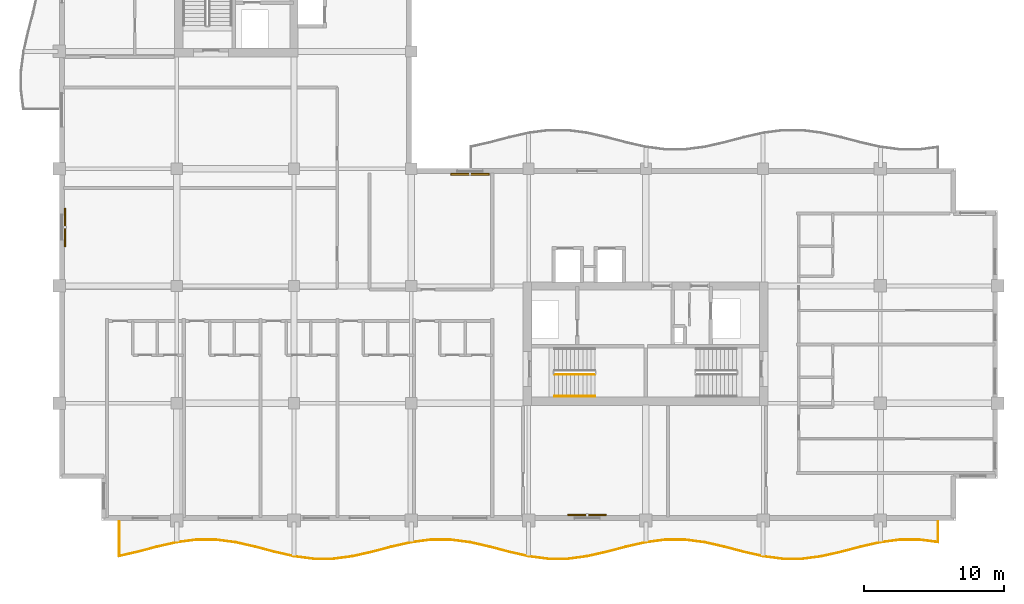
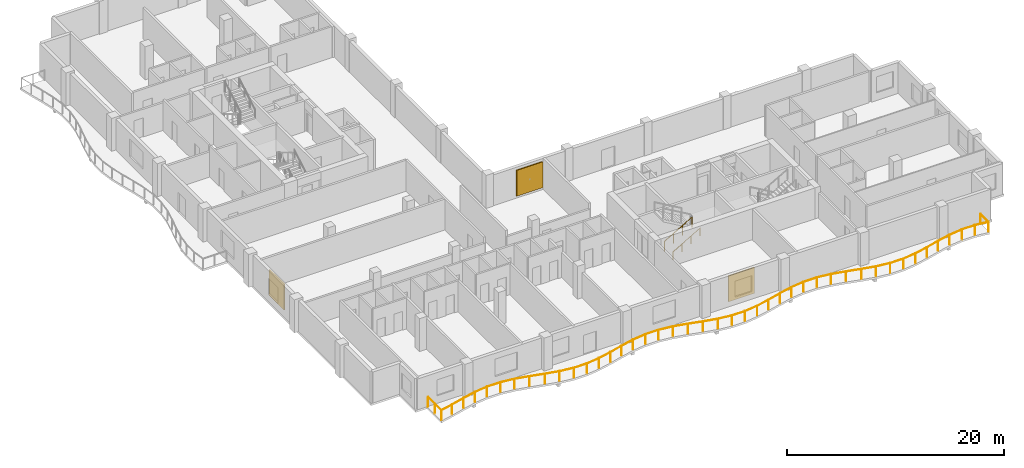
# One storey, part 10 of 12: 3 railings, 3 shading devices.
"""IFC4 building model written with IfcOpenShell, lengths in metres."""

from ifc_helpers import new_model, si_unit, direction, frame, origin, origin_2d, place, context, subcontext, project, spatial, rectangle, circle, extrude, material, layer, layer_set, type_object, element, save


model = new_model("IFC4")

# Units and contexts
model_context = context("Model", 3, precision=1e-05, world=origin(), true_north=direction((0.0, 1.0)))
body_context = subcontext(model_context, "Body", "Model", "MODEL_VIEW")
ifc_project = project(units=[si_unit("LENGTHUNIT", "METRE"), si_unit("AREAUNIT", "SQUARE_METRE"), si_unit("VOLUMEUNIT", "CUBIC_METRE"), si_unit("PLANEANGLEUNIT", "RADIAN"), si_unit("MASSUNIT", "GRAM", prefix="KILO")], contexts=[model_context])

# Site, building, storey
site_placement = place(None, origin())
site = spatial("IfcSite", under=ifc_project, at=site_placement, CompositionType="ELEMENT")
building_placement = place(site_placement, origin())
building = spatial("IfcBuilding", under=site, at=building_placement, Name="Koriwani Terraces Tower", CompositionType="ELEMENT")
storey_placement = place(building_placement, frame((0.0, 0.0, 278.60009765625)))
storey = spatial("IfcBuildingStorey", under=building, at=storey_placement, Name="L69", CompositionType="ELEMENT", Elevation=278.60009765625)

# Railings
ifc_material_1 = material(Name="Steel ASTM A572 Grade 50", Category="steel")
railing_type_1 = type_object("IfcRailingType", Name="GUARD_BALUSTRADE_1150", PredefinedType="BALUSTRADE", material=ifc_material_1)
railing_1_placement = place(storey_placement, frame((12.679931640625, 8.320068359375, 0.0)))
element("IfcRailing", 1, at=railing_1_placement, inside=storey, type_object=railing_type_1, Name="L69 Balcony Perimeter Safety Balustrade (S)", PredefinedType="BALUSTRADE", context=body_context, shape_type="SweptSolid", body=[
    extrude(circle(Radius=0.02392578125, at=origin_2d()), frame((0.0, 0.0, 1.1259765625), z_axis=(0.0, -1.0, 0.0), x_axis=(1.0, 0.0, 0.0)), (0.0, 0.0, 1.0), 2.4619140625),
    extrude(circle(Radius=0.02392578125, at=origin_2d()), frame((0.0, -2.4619140625, 1.1259765625), z_axis=(0.97513824805, 0.221597376316, 0.0), x_axis=(-0.221597376316, 0.97513824805, 0.0)), (0.0, 0.0, 1.0), 1.334228515625),
    extrude(circle(Radius=0.02392578125, at=origin_2d()), frame((1.301025390625, -2.166259765625, 1.1259765625), z_axis=(0.967207664387, 0.253986877518, 0.0), x_axis=(-0.253986877518, 0.967207664387, 0.0)), (0.0, 0.0, 1.0), 1.447509765625),
    extrude(circle(Radius=0.02392578125, at=origin_2d()), frame((2.701171875, -1.798583984375, 1.1259765625), z_axis=(0.975122866469, 0.221665052023, 0.0), x_axis=(-0.221665052023, 0.975122866469, 0.0)), (0.0, 0.0, 1.0), 1.440673828125),
    extrude(circle(Radius=0.02392578125, at=origin_2d()), frame((4.10595703125, -1.479248046875, 1.1259765625), z_axis=(0.991528403605, 0.12989004906, 0.0), x_axis=(-0.12989004906, 0.991528403605, 0.0)), (0.0, 0.0, 1.0), 1.4208984375),
    extrude(circle(Radius=0.02392578125, at=origin_2d()), frame((5.514892578125, -1.294677734375, 1.1259765625), z_axis=(1.0, 0.0, 0.0), x_axis=(0.0, 1.0, 0.0)), (0.0, 0.0, 1.0), 1.410400390625),
    extrude(circle(Radius=0.02392578125, at=origin_2d()), frame((6.92529296875, -1.294677734375, 1.1259765625), z_axis=(0.991528403605, -0.12989004906, 0.0), x_axis=(0.12989004906, 0.991528403605, 0.0)), (0.0, 0.0, 1.0), 1.4208984375),
    extrude(circle(Radius=0.02392578125, at=origin_2d()), frame((8.334228515625, -1.479248046875, 1.1259765625), z_axis=(0.975122866469, -0.221665052023, 0.0), x_axis=(0.221665052023, 0.975122866469, 0.0)), (0.0, 0.0, 1.0), 1.440673828125),
    extrude(circle(Radius=0.02392578125, at=origin_2d()), frame((9.739013671875, -1.798583984375, 1.1259765625), z_axis=(0.967207664387, -0.253986877518, 0.0), x_axis=(0.253986877518, 0.967207664387, 0.0)), (0.0, 0.0, 1.0), 1.447509765625),
    extrude(circle(Radius=0.02392578125, at=origin_2d()), frame((11.13916015625, -2.166259765625, 1.1259765625), z_axis=(0.975156320387, -0.221517834068, 0.0), x_axis=(0.221517834068, 0.975156320387, 0.0)), (0.0, 0.0, 1.0), 1.4306640625),
    extrude(circle(Radius=0.02392578125, at=origin_2d()), frame((12.5341796875, -2.483154296875, 1.1259765625), z_axis=(0.991493340479, -0.130157426935, 0.0), x_axis=(0.130157426935, 0.991493340479, 0.0)), (0.0, 0.0, 1.0), 1.403076171875),
    extrude(circle(Radius=0.02392578125, at=origin_2d()), frame((13.92529296875, -2.665771484375, 1.1259765625), z_axis=(1.0, 0.0, 0.0), x_axis=(0.0, 1.0, 0.0)), (0.0, 0.0, 1.0), 1.3896484375),
    extrude(circle(Radius=0.02392578125, at=origin_2d()), frame((15.31494140625, -2.665771484375, 1.1259765625), z_axis=(0.991493340479, 0.130157426935, 0.0), x_axis=(-0.130157426935, 0.991493340479, 0.0)), (0.0, 0.0, 1.0), 1.403076171875),
    extrude(circle(Radius=0.02392578125, at=origin_2d()), frame((16.7060546875, -2.483154296875, 1.1259765625), z_axis=(0.975156320387, 0.221517834068, 0.0), x_axis=(-0.221517834068, 0.975156320387, 0.0)), (0.0, 0.0, 1.0), 1.4306640625),
    extrude(circle(Radius=0.02392578125, at=origin_2d()), frame((18.10107421875, -2.166259765625, 1.1259765625), z_axis=(0.967196782226, 0.254028314271, 0.0), x_axis=(-0.254028314271, 0.967196782226, 0.0)), (0.0, 0.0, 1.0), 1.447265625),
    extrude(circle(Radius=0.02392578125, at=origin_2d()), frame((19.5009765625, -1.798583984375, 1.1259765625), z_axis=(0.975131191317, 0.221628427149, 0.0), x_axis=(-0.221628427149, 0.975131191317, 0.0)), (0.0, 0.0, 1.0), 1.44091796875),
    extrude(circle(Radius=0.02392578125, at=origin_2d()), frame((20.906005859375, -1.479248046875, 1.1259765625), z_axis=(0.991528403605, 0.12989004906, 0.0), x_axis=(-0.12989004906, 0.991528403605, 0.0)), (0.0, 0.0, 1.0), 1.4208984375),
    extrude(circle(Radius=0.02392578125, at=origin_2d()), frame((22.31494140625, -1.294677734375, 1.1259765625), z_axis=(1.0, 0.0, 0.0), x_axis=(0.0, 1.0, 0.0)), (0.0, 0.0, 1.0), 1.410400390625),
    extrude(circle(Radius=0.02392578125, at=origin_2d()), frame((23.725341796875, -1.294677734375, 1.1259765625), z_axis=(0.991528403605, -0.12989004906, 0.0), x_axis=(0.12989004906, 0.991528403605, 0.0)), (0.0, 0.0, 1.0), 1.4208984375),
    extrude(circle(Radius=0.02392578125, at=origin_2d()), frame((25.13427734375, -1.479248046875, 1.1259765625), z_axis=(0.975122866469, -0.221665052023, 0.0), x_axis=(0.221665052023, 0.975122866469, 0.0)), (0.0, 0.0, 1.0), 1.440673828125),
    extrude(circle(Radius=0.02392578125, at=origin_2d()), frame((26.5390625, -1.798583984375, 1.1259765625), z_axis=(0.967196782226, -0.254028314271, 0.0), x_axis=(0.254028314271, 0.967196782226, 0.0)), (0.0, 0.0, 1.0), 1.447265625),
    extrude(circle(Radius=0.02392578125, at=origin_2d()), frame((27.93896484375, -2.166259765625, 1.1259765625), z_axis=(0.975164692652, -0.221480974814, 0.0), x_axis=(0.221480974814, 0.975164692652, 0.0)), (0.0, 0.0, 1.0), 1.430908203125),
    extrude(circle(Radius=0.02392578125, at=origin_2d()), frame((29.334228515625, -2.483154296875, 1.1259765625), z_axis=(0.991493340479, -0.130157426935, 0.0), x_axis=(0.130157426935, 0.991493340479, 0.0)), (0.0, 0.0, 1.0), 1.403076171875),
    extrude(circle(Radius=0.02392578125, at=origin_2d()), frame((30.725341796875, -2.665771484375, 1.1259765625), z_axis=(1.0, 0.0, 0.0), x_axis=(0.0, 1.0, 0.0)), (0.0, 0.0, 1.0), 1.3896484375),
    extrude(circle(Radius=0.02392578125, at=origin_2d()), frame((32.114990234375, -2.665771484375, 1.1259765625), z_axis=(0.991490391866, 0.130179886452, 0.0), x_axis=(-0.130179886452, 0.991490391866, 0.0)), (0.0, 0.0, 1.0), 1.40283203125),
    extrude(circle(Radius=0.02392578125, at=origin_2d()), frame((33.505859375, -2.483154296875, 1.1259765625), z_axis=(0.975164692652, 0.221480974814, 0.0), x_axis=(-0.221480974814, 0.975164692652, 0.0)), (0.0, 0.0, 1.0), 1.430908203125),
    extrude(circle(Radius=0.02392578125, at=origin_2d()), frame((34.901123046875, -2.166259765625, 1.1259765625), z_axis=(0.967196782226, 0.254028314271, 0.0), x_axis=(-0.254028314271, 0.967196782226, 0.0)), (0.0, 0.0, 1.0), 1.447265625),
    extrude(circle(Radius=0.02392578125, at=origin_2d()), frame((36.301025390625, -1.798583984375, 1.1259765625), z_axis=(0.975131191317, 0.221628427149, 0.0), x_axis=(-0.221628427149, 0.975131191317, 0.0)), (0.0, 0.0, 1.0), 1.44091796875),
    extrude(circle(Radius=0.02392578125, at=origin_2d()), frame((37.7060546875, -1.479248046875, 1.1259765625), z_axis=(0.991528403605, 0.12989004906, 0.0), x_axis=(-0.12989004906, 0.991528403605, 0.0)), (0.0, 0.0, 1.0), 1.4208984375),
    extrude(circle(Radius=0.02392578125, at=origin_2d()), frame((39.114990234375, -1.294677734375, 1.1259765625), z_axis=(1.0, 0.0, 0.0), x_axis=(0.0, 1.0, 0.0)), (0.0, 0.0, 1.0), 1.41015625),
    extrude(circle(Radius=0.02392578125, at=origin_2d()), frame((40.525146484375, -1.294677734375, 1.1259765625), z_axis=(0.991528403605, -0.12989004906, 0.0), x_axis=(0.12989004906, 0.991528403605, 0.0)), (0.0, 0.0, 1.0), 1.4208984375),
    extrude(circle(Radius=0.02392578125, at=origin_2d()), frame((41.93408203125, -1.479248046875, 1.1259765625), z_axis=(0.975131191317, -0.221628427149, 0.0), x_axis=(0.221628427149, 0.975131191317, 0.0)), (0.0, 0.0, 1.0), 1.44091796875),
    extrude(circle(Radius=0.02392578125, at=origin_2d()), frame((43.339111328125, -1.798583984375, 1.1259765625), z_axis=(0.967196782226, -0.254028314271, 0.0), x_axis=(0.254028314271, 0.967196782226, 0.0)), (0.0, 0.0, 1.0), 1.447265625),
    extrude(circle(Radius=0.02392578125, at=origin_2d()), frame((44.739013671875, -2.166259765625, 1.1259765625), z_axis=(0.975164692652, -0.221480974814, 0.0), x_axis=(0.221480974814, 0.975164692652, 0.0)), (0.0, 0.0, 1.0), 1.430908203125),
    extrude(circle(Radius=0.02392578125, at=origin_2d()), frame((46.13427734375, -2.483154296875, 1.1259765625), z_axis=(0.991490391866, -0.130179886452, 0.0), x_axis=(0.130179886452, 0.991490391866, 0.0)), (0.0, 0.0, 1.0), 1.40283203125),
    extrude(circle(Radius=0.02392578125, at=origin_2d()), frame((47.525146484375, -2.665771484375, 1.1259765625), z_axis=(1.0, 0.0, 0.0), x_axis=(0.0, 1.0, 0.0)), (0.0, 0.0, 1.0), 1.3896484375),
    extrude(circle(Radius=0.02392578125, at=origin_2d()), frame((48.914794921875, -2.665771484375, 1.1259765625), z_axis=(0.991493340479, 0.130157426935, 0.0), x_axis=(-0.130157426935, 0.991493340479, 0.0)), (0.0, 0.0, 1.0), 1.403076171875),
    extrude(circle(Radius=0.02392578125, at=origin_2d()), frame((50.305908203125, -2.483154296875, 1.1259765625), z_axis=(0.975164692652, 0.221480974814, 0.0), x_axis=(-0.221480974814, 0.975164692652, 0.0)), (0.0, 0.0, 1.0), 1.430908203125),
    extrude(circle(Radius=0.02392578125, at=origin_2d()), frame((51.701171875, -2.166259765625, 1.1259765625), z_axis=(0.967196782226, 0.254028314271, 0.0), x_axis=(-0.254028314271, 0.967196782226, 0.0)), (0.0, 0.0, 1.0), 1.447265625),
    extrude(circle(Radius=0.02392578125, at=origin_2d()), frame((53.10107421875, -1.798583984375, 1.1259765625), z_axis=(0.975122866469, 0.221665052023, 0.0), x_axis=(-0.221665052023, 0.975122866469, 0.0)), (0.0, 0.0, 1.0), 1.440673828125),
    extrude(circle(Radius=0.02392578125, at=origin_2d()), frame((54.505859375, -1.479248046875, 1.1259765625), z_axis=(0.991528403605, 0.12989004906, 0.0), x_axis=(-0.12989004906, 0.991528403605, 0.0)), (0.0, 0.0, 1.0), 1.4208984375),
    extrude(circle(Radius=0.02392578125, at=origin_2d()), frame((55.914794921875, -1.294677734375, 1.1259765625), z_axis=(1.0, 0.0, 0.0), x_axis=(0.0, 1.0, 0.0)), (0.0, 0.0, 1.0), 1.410400390625),
    extrude(circle(Radius=0.02392578125, at=origin_2d()), frame((57.3251953125, -1.294677734375, 1.1259765625), z_axis=(0.991541795882, -0.129787776847, 0.0), x_axis=(0.129787776847, 0.991541795882, 0.0)), (0.0, 0.0, 1.0), 1.326171875),
    extrude(circle(Radius=0.02392578125, at=origin_2d()), frame((58.64013671875, -1.466796875, 1.1259765625), z_axis=(0.0, 1.0, 0.0), x_axis=(-1.0, 0.0, 0.0)), (0.0, 0.0, 1.0), 1.466796875),
    extrude(circle(Radius=0.02099609375, at=origin_2d()), origin(), (0.0, 0.0, 1.0), 1.101806640625),
    extrude(circle(Radius=0.02099609375, at=origin_2d()), frame((0.0, -1.23095703125, 0.0)), (0.0, 0.0, 1.0), 1.101806640625),
    extrude(circle(Radius=0.02099609375, at=origin_2d()), frame((0.0, -2.4619140625, 0.0)), (0.0, 0.0, 1.0), 1.101806640625),
    extrude(circle(Radius=0.02099609375, at=origin_2d()), frame((1.301025390625, -2.166259765625, 0.0)), (0.0, 0.0, 1.0), 1.101806640625),
    extrude(circle(Radius=0.02099609375, at=origin_2d()), frame((2.701171875, -1.798583984375, 0.0)), (0.0, 0.0, 1.0), 1.101806640625),
    extrude(circle(Radius=0.02099609375, at=origin_2d()), frame((4.10595703125, -1.479248046875, 0.0)), (0.0, 0.0, 1.0), 1.101806640625),
    extrude(circle(Radius=0.02099609375, at=origin_2d()), frame((5.514892578125, -1.294677734375, 0.0)), (0.0, 0.0, 1.0), 1.101806640625),
    extrude(circle(Radius=0.02099609375, at=origin_2d()), frame((6.92529296875, -1.294677734375, 0.0)), (0.0, 0.0, 1.0), 1.101806640625),
    extrude(circle(Radius=0.02099609375, at=origin_2d()), frame((8.334228515625, -1.479248046875, 0.0)), (0.0, 0.0, 1.0), 1.101806640625),
    extrude(circle(Radius=0.02099609375, at=origin_2d()), frame((9.739013671875, -1.798583984375, 0.0)), (0.0, 0.0, 1.0), 1.101806640625),
    extrude(circle(Radius=0.02099609375, at=origin_2d()), frame((11.13916015625, -2.166259765625, 0.0)), (0.0, 0.0, 1.0), 1.101806640625),
    extrude(circle(Radius=0.02099609375, at=origin_2d()), frame((12.5341796875, -2.483154296875, 0.0)), (0.0, 0.0, 1.0), 1.101806640625),
    extrude(circle(Radius=0.02099609375, at=origin_2d()), frame((13.92529296875, -2.665771484375, 0.0)), (0.0, 0.0, 1.0), 1.101806640625),
    extrude(circle(Radius=0.02099609375, at=origin_2d()), frame((15.31494140625, -2.665771484375, 0.0)), (0.0, 0.0, 1.0), 1.101806640625),
    extrude(circle(Radius=0.02099609375, at=origin_2d()), frame((16.7060546875, -2.483154296875, 0.0)), (0.0, 0.0, 1.0), 1.101806640625),
    extrude(circle(Radius=0.02099609375, at=origin_2d()), frame((18.10107421875, -2.166259765625, 0.0)), (0.0, 0.0, 1.0), 1.101806640625),
    extrude(circle(Radius=0.02099609375, at=origin_2d()), frame((19.5009765625, -1.798583984375, 0.0)), (0.0, 0.0, 1.0), 1.101806640625),
    extrude(circle(Radius=0.02099609375, at=origin_2d()), frame((20.906005859375, -1.479248046875, 0.0)), (0.0, 0.0, 1.0), 1.101806640625),
    extrude(circle(Radius=0.02099609375, at=origin_2d()), frame((22.31494140625, -1.294677734375, 0.0)), (0.0, 0.0, 1.0), 1.101806640625),
    extrude(circle(Radius=0.02099609375, at=origin_2d()), frame((23.725341796875, -1.294677734375, 0.0)), (0.0, 0.0, 1.0), 1.101806640625),
    extrude(circle(Radius=0.02099609375, at=origin_2d()), frame((25.13427734375, -1.479248046875, 0.0)), (0.0, 0.0, 1.0), 1.101806640625),
    extrude(circle(Radius=0.02099609375, at=origin_2d()), frame((26.5390625, -1.798583984375, 0.0)), (0.0, 0.0, 1.0), 1.101806640625),
    extrude(circle(Radius=0.02099609375, at=origin_2d()), frame((27.93896484375, -2.166259765625, 0.0)), (0.0, 0.0, 1.0), 1.101806640625),
    extrude(circle(Radius=0.02099609375, at=origin_2d()), frame((29.334228515625, -2.483154296875, 0.0)), (0.0, 0.0, 1.0), 1.101806640625),
    extrude(circle(Radius=0.02099609375, at=origin_2d()), frame((30.725341796875, -2.665771484375, 0.0)), (0.0, 0.0, 1.0), 1.101806640625),
    extrude(circle(Radius=0.02099609375, at=origin_2d()), frame((32.114990234375, -2.665771484375, 0.0)), (0.0, 0.0, 1.0), 1.101806640625),
    extrude(circle(Radius=0.02099609375, at=origin_2d()), frame((33.505859375, -2.483154296875, 0.0)), (0.0, 0.0, 1.0), 1.101806640625),
    extrude(circle(Radius=0.02099609375, at=origin_2d()), frame((34.901123046875, -2.166259765625, 0.0)), (0.0, 0.0, 1.0), 1.101806640625),
    extrude(circle(Radius=0.02099609375, at=origin_2d()), frame((36.301025390625, -1.798583984375, 0.0)), (0.0, 0.0, 1.0), 1.101806640625),
    extrude(circle(Radius=0.02099609375, at=origin_2d()), frame((37.7060546875, -1.479248046875, 0.0)), (0.0, 0.0, 1.0), 1.101806640625),
    extrude(circle(Radius=0.02099609375, at=origin_2d()), frame((39.114990234375, -1.294677734375, 0.0)), (0.0, 0.0, 1.0), 1.101806640625),
    extrude(circle(Radius=0.02099609375, at=origin_2d()), frame((40.525146484375, -1.294677734375, 0.0)), (0.0, 0.0, 1.0), 1.101806640625),
    extrude(circle(Radius=0.02099609375, at=origin_2d()), frame((41.93408203125, -1.479248046875, 0.0)), (0.0, 0.0, 1.0), 1.101806640625),
    extrude(circle(Radius=0.02099609375, at=origin_2d()), frame((43.339111328125, -1.798583984375, 0.0)), (0.0, 0.0, 1.0), 1.101806640625),
    extrude(circle(Radius=0.02099609375, at=origin_2d()), frame((44.739013671875, -2.166259765625, 0.0)), (0.0, 0.0, 1.0), 1.101806640625),
    extrude(circle(Radius=0.02099609375, at=origin_2d()), frame((46.13427734375, -2.483154296875, 0.0)), (0.0, 0.0, 1.0), 1.101806640625),
    extrude(circle(Radius=0.02099609375, at=origin_2d()), frame((47.525146484375, -2.665771484375, 0.0)), (0.0, 0.0, 1.0), 1.101806640625),
    extrude(circle(Radius=0.02099609375, at=origin_2d()), frame((48.914794921875, -2.665771484375, 0.0)), (0.0, 0.0, 1.0), 1.101806640625),
    extrude(circle(Radius=0.02099609375, at=origin_2d()), frame((50.305908203125, -2.483154296875, 0.0)), (0.0, 0.0, 1.0), 1.101806640625),
    extrude(circle(Radius=0.02099609375, at=origin_2d()), frame((51.701171875, -2.166259765625, 0.0)), (0.0, 0.0, 1.0), 1.101806640625),
    extrude(circle(Radius=0.02099609375, at=origin_2d()), frame((53.10107421875, -1.798583984375, 0.0)), (0.0, 0.0, 1.0), 1.101806640625),
    extrude(circle(Radius=0.02099609375, at=origin_2d()), frame((54.505859375, -1.479248046875, 0.0)), (0.0, 0.0, 1.0), 1.101806640625),
    extrude(circle(Radius=0.02099609375, at=origin_2d()), frame((55.914794921875, -1.294677734375, 0.0)), (0.0, 0.0, 1.0), 1.101806640625),
    extrude(circle(Radius=0.02099609375, at=origin_2d()), frame((57.3251953125, -1.294677734375, 0.0)), (0.0, 0.0, 1.0), 1.101806640625),
    extrude(circle(Radius=0.02099609375, at=origin_2d()), frame((58.64013671875, -1.466796875, 0.0)), (0.0, 0.0, 1.0), 1.101806640625),
    extrude(circle(Radius=0.02099609375, at=origin_2d()), frame((58.64013671875, 0.0, 0.0)), (0.0, 0.0, 1.0), 1.101806640625),
])
railing_type_2 = type_object("IfcRailingType", Name="GUARD_STAIR_WELL_1120", PredefinedType="GUARDRAIL", material=ifc_material_1)
railing_2_placement = place(storey_placement, frame((43.85009765625, 18.85009765625, 0.16796875)))
element("IfcRailing", 2, at=railing_2_placement, inside=storey, type_object=railing_type_2, Name="L69 ST-E1 stair guard 1", PredefinedType="GUARDRAIL", context=body_context, shape_type="SweptSolid", body=[
    extrude(circle(Radius=0.02392578125, at=origin_2d()), frame((0.0, 0.0, 1.1259765625), z_axis=(0.865038774852, 0.0, 0.501705010941), x_axis=(0.0, 1.0, 0.0)), (0.0, 0.0, 1.0), 3.352294921875),
    extrude(circle(Radius=0.02099609375, at=origin_2d()), origin(), (0.0, 0.0, 1.0), 1.101806640625),
    extrude(circle(Radius=0.02099609375, at=origin_2d()), frame((0.966552734375, 0.0, 0.560546875)), (0.0, 0.0, 1.0), 1.101806640625),
    extrude(circle(Radius=0.02099609375, at=origin_2d()), frame((1.933349609375, 0.0, 1.121337890625)), (0.0, 0.0, 1.0), 1.101806640625),
    extrude(circle(Radius=0.02099609375, at=origin_2d()), frame((2.89990234375, 0.0, 1.681884765625)), (0.0, 0.0, 1.0), 1.101806640625),
])
railing_type_3 = type_object("IfcRailingType", Name="HANDRAIL_STAIR_920", PredefinedType="HANDRAIL", material=ifc_material_1)
railing_3_placement = place(storey_placement, frame((43.85009765625, 17.300048828125, 0.16796875)))
element("IfcRailing", 3, at=railing_3_placement, inside=storey, type_object=railing_type_3, Name="L69 ST-E1 stair handrail 1", PredefinedType="HANDRAIL", context=body_context, shape_type="SweptSolid", body=[
    extrude(circle(Radius=0.02392578125, at=origin_2d()), frame((0.0, 0.0, 0.8759765625), z_axis=(0.865038774852, 0.0, 0.501705010941), x_axis=(0.0, 1.0, 0.0)), (0.0, 0.0, 1.0), 3.352294921875),
    extrude(circle(Radius=0.02099609375, at=origin_2d()), origin(), (0.0, 0.0, 1.0), 0.851806640625),
    extrude(circle(Radius=0.02099609375, at=origin_2d()), frame((0.966552734375, 0.0, 0.560546875)), (0.0, 0.0, 1.0), 0.851806640625),
    extrude(circle(Radius=0.02099609375, at=origin_2d()), frame((1.933349609375, 0.0, 1.121337890625)), (0.0, 0.0, 1.0), 0.851806640625),
    extrude(circle(Radius=0.02099609375, at=origin_2d()), frame((2.89990234375, 0.0, 1.681884765625)), (0.0, 0.0, 1.0), 0.851806640625),
])

# Shading devices
ifc_material_2 = material(Name="Extruded Terracotta Clay", Category="masonry")
ifc_layer = layer(ifc_material_2, 0.1201171875, Name="Extruded Terracotta Clay")
ifc_layer_set = layer_set([ifc_layer], Name="Extruded Terracotta Clay")
shading_device_type = type_object("IfcShadingDeviceType", Name="TERRACOTTA_BAGUETTE_SCREEN_2800", PredefinedType="USERDEFINED", material=ifc_layer_set)
for number, where, z_axis, x_axis, name in (
    (4, (8.804931640625, 29.39990234375, 0.284912109375), (0.0, 0.0, 1.0), (0.0, 1.0, 0.0), "L69 Extruded Terracotta Baguette Screen (W-6)"),
    (5, (37.800048828125, 33.195068359375, 0.284912109375), (0.0, 0.0, 1.0), (1.0, 0.0, 0.0), "L69 Extruded Terracotta Baguette Screen (NE-2)"),
    (6, (46.199951171875, 8.804931640625, 0.284912109375), (0.0, 0.0, 1.0), (-1.0, 0.0, 0.0), "L69 Extruded Terracotta Baguette Screen (S-12)"),
):
    element("IfcShadingDevice", number, at=place(storey_placement, frame(where, z_axis=z_axis, x_axis=x_axis)), inside=storey, type_object=shading_device_type, Name=name, ObjectType="BAGUETTE", PredefinedType="USERDEFINED", context=body_context, shape_type="SweptSolid", body=[
        extrude(rectangle(XDim=2.760009765625, YDim=0.1201171875, at=origin_2d()), origin(), (0.0, 0.0, 1.0), 2.89990234375),
    ])

save(model, "model.ifc")
